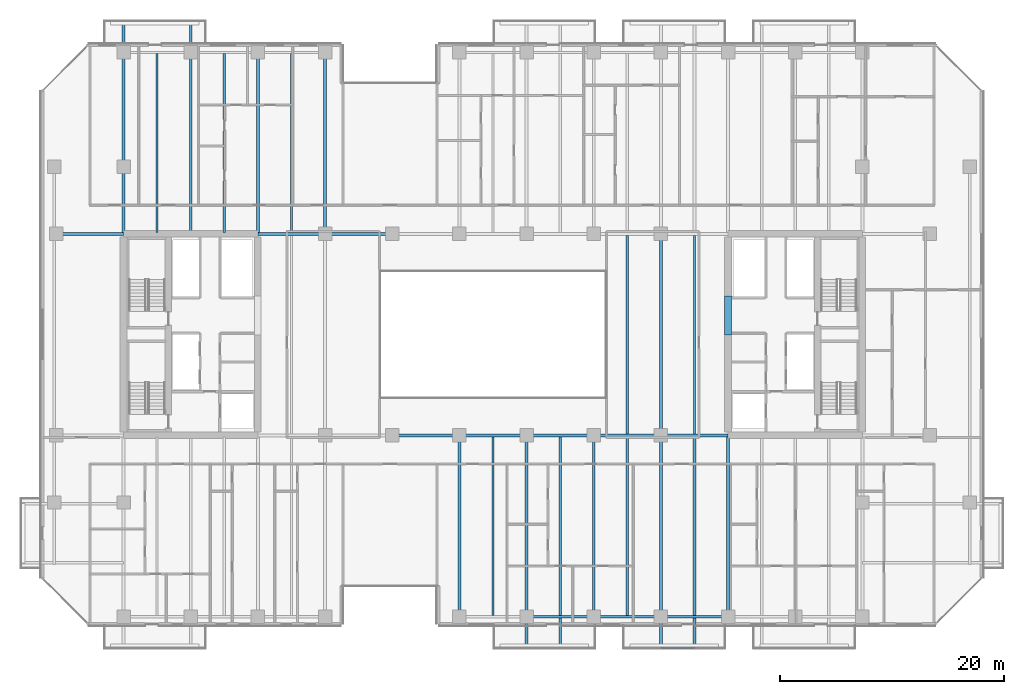
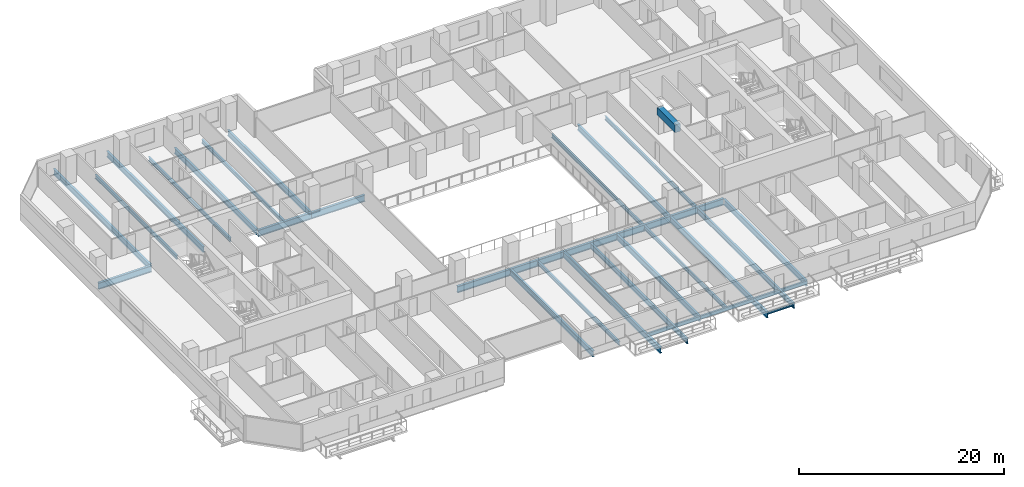
# One storey, part 7 of 33: 32 beams.
"""IFC4 building model written with IfcOpenShell, lengths in metres."""

from ifc_helpers import new_model, si_unit, direction, frame, origin, origin_2d, place, context, subcontext, project, spatial, rectangle, hollow_rectangle, i_section, extrude, material, material_profile, profile_set, type_object, element, save


model = new_model("IFC4")

# Units and contexts
model_context = context("Model", 3, precision=1e-05, world=origin(), true_north=direction((0.0, 1.0)))
body_context = subcontext(model_context, "Body", "Model", "MODEL_VIEW")
ifc_project = project(units=[si_unit("LENGTHUNIT", "METRE"), si_unit("AREAUNIT", "SQUARE_METRE"), si_unit("VOLUMEUNIT", "CUBIC_METRE"), si_unit("PLANEANGLEUNIT", "RADIAN"), si_unit("MASSUNIT", "GRAM", prefix="KILO")], contexts=[model_context])

# Site, building, storey
site_placement = place(None, origin())
site = spatial("IfcSite", under=ifc_project, at=site_placement, CompositionType="ELEMENT")
building_placement = place(site_placement, origin())
building = spatial("IfcBuilding", under=site, at=building_placement, Name="Tanjung Sevakor Pilgrim Tower", CompositionType="ELEMENT")
storey_placement = place(building_placement, frame((0.0, 0.0, 32.340087890625)))
storey = spatial("IfcBuildingStorey", under=building, at=storey_placement, Name="L08", CompositionType="ELEMENT", Elevation=32.340087890625)

# Beams
ifc_material_1 = material(Name="Steel S355J2", Category="steel")
ifc_material_profile_1 = material_profile(ifc_material_1, i_section(OverallWidth=0.26806640625, OverallDepth=0.769775390625, WebThickness=0.015625, FlangeThickness=0.025390625, FilletRadius=0.0166015625, at=origin_2d()))
ifc_profile_set_1 = profile_set([ifc_material_profile_1], Name="Steel S355J2")
beam_type_1 = type_object("IfcBeamType", Name="BM-B-G1-UB_762x267x197", PredefinedType="BEAM", material=ifc_profile_set_1)
for number, where, z_axis, x_axis, name in (
    (1, (48.0, 24.60009765625, -0.60498046875), (1.0, 0.0, 0.0), (0.0, 1.0, 0.0), "L08 Primary Floor Girder MAIN Y246-04"),
    (2, (54.0, 24.60009765625, -0.60498046875), (1.0, 0.0, 0.0), (0.0, 1.0, 0.0), "L08 Primary Floor Girder MAIN Y246-05"),
    (3, (60.0, 24.60009765625, -0.60498046875), (1.0, 0.0, 0.0), (0.0, 1.0, 0.0), "L08 Primary Floor Girder MAIN Y246-06"),
    (4, (66.0, 24.60009765625, -0.60498046875), (1.0, 0.0, 0.0), (0.0, 1.0, 0.0), "L08 Primary Floor Girder MAIN Y246-07"),
    (5, (72.0, 24.60009765625, -0.60498046875), (1.0, 0.0, 0.0), (0.0, 1.0, 0.0), "L08 Primary Floor Girder MAIN Y246-08"),
    (6, (18.0, 42.60009765625, -0.60498046875), (1.0, 0.0, 0.0), (0.0, 1.0, 0.0), "L08 Primary Floor Girder MAIN Y426-01"),
    (7, (36.0, 42.60009765625, -0.60498046875), (1.0, 0.0, 0.0), (0.0, 1.0, 0.0), "L08 Primary Floor Girder MAIN Y426-02"),
    (8, (42.0, 42.60009765625, -0.60498046875), (1.0, 0.0, 0.0), (0.0, 1.0, 0.0), "L08 Primary Floor Girder MAIN Y426-03"),
):
    element("IfcBeam", number, at=place(storey_placement, frame(where, z_axis=z_axis, x_axis=x_axis)), inside=storey, type_object=beam_type_1, Name=name, PredefinedType="BEAM", context=body_context, shape_type="SweptSolid", body=[
        extrude(i_section(OverallWidth=0.26806640625, OverallDepth=0.769775390625, WebThickness=0.015625, FlangeThickness=0.025390625, FilletRadius=0.0166015625, at=origin_2d()), origin(), (0.0, 0.0, 1.0), 6.0),
    ])
ifc_material_2 = material(Name="Steel S355J2", Category="steel")
ifc_material_profile_2 = material_profile(ifc_material_2, i_section(OverallWidth=0.25439453125, OverallDepth=0.6875, WebThickness=0.01318359375, FlangeThickness=0.02099609375, FilletRadius=0.01513671875, at=origin_2d()))
ifc_profile_set_2 = profile_set([ifc_material_profile_2], Name="Steel S355J2")
beam_type_2 = type_object("IfcBeamType", Name="BM-B-G2-UB_686x254x152", PredefinedType="BEAM", material=ifc_profile_set_2)
for number, where, z_axis, x_axis, name in (
    (9, (24.0, 42.73388671875, -0.56396484375), (0.0, 1.0, 0.0), (-1.0, 0.0, 0.0), "L08 Balcony Cantilever Beam MAIN-N1-1"),
    (10, (30.0, 42.73388671875, -0.56396484375), (0.0, 1.0, 0.0), (-1.0, 0.0, 0.0), "L08 Balcony Cantilever Beam MAIN-N1-2"),
):
    element("IfcBeam", number, at=place(storey_placement, frame(where, z_axis=z_axis, x_axis=x_axis)), inside=storey, type_object=beam_type_2, Name=name, PredefinedType="BEAM", context=body_context, shape_type="SweptSolid", body=[
        extrude(i_section(OverallWidth=0.25439453125, OverallDepth=0.6875, WebThickness=0.01318359375, FlangeThickness=0.02099609375, FilletRadius=0.01513671875, at=origin_2d()), origin(), (0.0, 0.0, 1.0), 18.84619140625),
    ])
beam_1_placement = place(storey_placement, frame((36.0, 42.73388671875, -0.56396484375), z_axis=(0.0, 1.0, 0.0), x_axis=(-1.0, 0.0, 0.0)))
element("IfcBeam", 11, at=beam_1_placement, inside=storey, type_object=beam_type_2, Name="L08 MAIN Girder 006", PredefinedType="BEAM", context=body_context, shape_type="SweptSolid", body=[
    extrude(i_section(OverallWidth=0.25439453125, OverallDepth=0.6875, WebThickness=0.01318359375, FlangeThickness=0.02099609375, FilletRadius=0.01513671875, at=origin_2d()), origin(), (0.0, 0.0, 1.0), 16.066162109375),
])
beam_2_placement = place(storey_placement, frame((42.0, 42.60009765625, -0.56396484375), z_axis=(0.0, 1.0, 0.0), x_axis=(-1.0, 0.0, 0.0)))
element("IfcBeam", 12, at=beam_2_placement, inside=storey, type_object=beam_type_2, Name="L08 MAIN Girder 012", PredefinedType="BEAM", context=body_context, shape_type="SweptSolid", body=[
    extrude(i_section(OverallWidth=0.25439453125, OverallDepth=0.6875, WebThickness=0.01318359375, FlangeThickness=0.02099609375, FilletRadius=0.01513671875, at=origin_2d()), origin(), (0.0, 0.0, 1.0), 16.199951171875),
])
beam_3_placement = place(storey_placement, frame((54.0, 8.39990234375, -0.56396484375), z_axis=(0.0, 1.0, 0.0), x_axis=(-1.0, 0.0, 0.0)))
element("IfcBeam", 13, at=beam_3_placement, inside=storey, type_object=beam_type_2, Name="L08 MAIN Girder 013", PredefinedType="BEAM", context=body_context, shape_type="SweptSolid", body=[
    extrude(i_section(OverallWidth=0.25439453125, OverallDepth=0.6875, WebThickness=0.01318359375, FlangeThickness=0.02099609375, FilletRadius=0.01513671875, at=origin_2d()), origin(), (0.0, 0.0, 1.0), 16.2001953125),
])
beam_4_placement = place(storey_placement, frame((60.0, 24.60009765625, -0.56396484375), z_axis=(0.0, -1.0, 0.0), x_axis=(1.0, 0.0, 0.0)))
element("IfcBeam", 14, at=beam_4_placement, inside=storey, type_object=beam_type_2, Name="L08 Balcony Cantilever Beam MAIN-S2-1", PredefinedType="BEAM", context=body_context, shape_type="SweptSolid", body=[
    extrude(i_section(OverallWidth=0.25439453125, OverallDepth=0.6875, WebThickness=0.01318359375, FlangeThickness=0.02099609375, FilletRadius=0.01513671875, at=origin_2d()), origin(), (0.0, 0.0, 1.0), 18.97998046875),
])
beam_5_placement = place(storey_placement, frame((66.0, 8.39990234375, -0.56396484375), z_axis=(0.0, 1.0, 0.0), x_axis=(-1.0, 0.0, 0.0)))
element("IfcBeam", 15, at=beam_5_placement, inside=storey, type_object=beam_type_2, Name="L08 MAIN Girder 017", PredefinedType="BEAM", context=body_context, shape_type="SweptSolid", body=[
    extrude(i_section(OverallWidth=0.25439453125, OverallDepth=0.6875, WebThickness=0.01318359375, FlangeThickness=0.02099609375, FilletRadius=0.01513671875, at=origin_2d()), origin(), (0.0, 0.0, 1.0), 16.2001953125),
])
beam_6_placement = place(storey_placement, frame((72.0, 24.60009765625, -0.56396484375), z_axis=(0.0, -1.0, 0.0), x_axis=(1.0, 0.0, 0.0)))
element("IfcBeam", 16, at=beam_6_placement, inside=storey, type_object=beam_type_2, Name="L08 Balcony Cantilever Beam MAIN-S3-1", PredefinedType="BEAM", context=body_context, shape_type="SweptSolid", body=[
    extrude(i_section(OverallWidth=0.25439453125, OverallDepth=0.6875, WebThickness=0.01318359375, FlangeThickness=0.02099609375, FilletRadius=0.01513671875, at=origin_2d()), origin(), (0.0, 0.0, 1.0), 18.97998046875),
])
beam_7_placement = place(storey_placement, frame((72.0, 24.60009765625, -0.56396484375), z_axis=(0.0, 1.0, 0.0), x_axis=(-1.0, 0.0, 0.0)))
element("IfcBeam", 17, at=beam_7_placement, inside=storey, type_object=beam_type_2, Name="L08 MAIN Girder 022", PredefinedType="BEAM", context=body_context, shape_type="SweptSolid", body=[
    extrude(i_section(OverallWidth=0.25439453125, OverallDepth=0.6875, WebThickness=0.01318359375, FlangeThickness=0.02099609375, FilletRadius=0.01513671875, at=origin_2d()), origin(), (0.0, 0.0, 1.0), 18.0),
])
beam_8_placement = place(storey_placement, frame((78.0, 8.39990234375, -0.56396484375), z_axis=(0.0, 1.0, 0.0), x_axis=(-1.0, 0.0, 0.0)))
element("IfcBeam", 18, at=beam_8_placement, inside=storey, type_object=beam_type_2, Name="L08 MAIN Girder 024", PredefinedType="BEAM", context=body_context, shape_type="SweptSolid", body=[
    extrude(i_section(OverallWidth=0.25439453125, OverallDepth=0.6875, WebThickness=0.01318359375, FlangeThickness=0.02099609375, FilletRadius=0.01513671875, at=origin_2d()), origin(), (0.0, 0.0, 1.0), 16.066162109375),
])
ifc_material_3 = material(Name="Steel S355J2", Category="steel")
ifc_material_profile_3 = material_profile(ifc_material_3, i_section(OverallWidth=0.22900390625, OverallDepth=0.6123046875, WebThickness=0.011962890625, FlangeThickness=0.01953125, FilletRadius=0.0126953125, at=origin_2d()))
ifc_profile_set_3 = profile_set([ifc_material_profile_3], Name="Steel S355J2")
beam_type_3 = type_object("IfcBeamType", Name="BM-B-G4-UB_610x229x125", PredefinedType="BEAM", material=ifc_profile_set_3)
for number, where, z_axis, x_axis, name in (
    (19, (63.0, 24.466064453125, -0.526123046875), (0.0, -1.0, 0.0), (1.0, 0.0, 0.0), "L08 Balcony Cantilever Beam MAIN-S2-2"),
    (20, (75.0, 24.466064453125, -0.526123046875), (0.0, -1.0, 0.0), (1.0, 0.0, 0.0), "L08 Balcony Cantilever Beam MAIN-S3-2"),
):
    element("IfcBeam", number, at=place(storey_placement, frame(where, z_axis=z_axis, x_axis=x_axis)), inside=storey, type_object=beam_type_3, Name=name, PredefinedType="BEAM", context=body_context, shape_type="SweptSolid", body=[
        extrude(i_section(OverallWidth=0.22900390625, OverallDepth=0.6123046875, WebThickness=0.011962890625, FlangeThickness=0.01953125, FilletRadius=0.0126953125, at=origin_2d()), origin(), (0.0, 0.0, 1.0), 18.845947265625),
    ])
ifc_material_4 = material(Name="Steel S355J2", Category="steel")
ifc_material_profile_4 = material_profile(ifc_material_4, i_section(OverallWidth=0.19140625, OverallDepth=0.4599609375, WebThickness=0.010009765625, FlangeThickness=0.01611328125, FilletRadius=0.01025390625, at=origin_2d()))
ifc_profile_set_4 = profile_set([ifc_material_profile_4], Name="Steel S355J2")
beam_type_4 = type_object("IfcBeamType", Name="BM-B-J2-UB_457x191x82", PredefinedType="JOIST", material=ifc_profile_set_4)
for number, where, z_axis, x_axis, name in (
    (21, (27.0, 42.73388671875, -0.4501953125), (0.0, 1.0, 0.0), (-1.0, 0.0, 0.0), "L08 MAIN Joist 002"),
    (22, (33.0, 42.73388671875, -0.4501953125), (0.0, 1.0, 0.0), (-1.0, 0.0, 0.0), "L08 MAIN Joist 004"),
    (23, (39.0, 42.73388671875, -0.4501953125), (0.0, 1.0, 0.0), (-1.0, 0.0, 0.0), "L08 MAIN Joist 009"),
    (24, (57.0, 8.5, -0.4501953125), (0.0, 1.0, 0.0), (-1.0, 0.0, 0.0), "L08 MAIN Joist 015"),
    (25, (69.0, 8.5, -0.4501953125), (0.0, 1.0, 0.0), (-1.0, 0.0, 0.0), "L08 MAIN Joist 019"),
):
    element("IfcBeam", number, at=place(storey_placement, frame(where, z_axis=z_axis, x_axis=x_axis)), inside=storey, type_object=beam_type_4, Name=name, PredefinedType="JOIST", context=body_context, shape_type="SweptSolid", body=[
        extrude(i_section(OverallWidth=0.19140625, OverallDepth=0.4599609375, WebThickness=0.010009765625, FlangeThickness=0.01611328125, FilletRadius=0.01025390625, at=origin_2d()), origin(), (0.0, 0.0, 1.0), 15.966064453125),
    ])
for number, where, z_axis, x_axis, name in (
    (26, (69.0, 24.73388671875, -0.4501953125), (0.0, 1.0, 0.0), (-1.0, 0.0, 0.0), "L08 MAIN Joist 020"),
    (27, (75.0, 24.73388671875, -0.4501953125), (0.0, 1.0, 0.0), (-1.0, 0.0, 0.0), "L08 MAIN Joist 023"),
):
    element("IfcBeam", number, at=place(storey_placement, frame(where, z_axis=z_axis, x_axis=x_axis)), inside=storey, type_object=beam_type_4, Name=name, PredefinedType="JOIST", context=body_context, shape_type="SweptSolid", body=[
        extrude(i_section(OverallWidth=0.19140625, OverallDepth=0.4599609375, WebThickness=0.010009765625, FlangeThickness=0.01611328125, FilletRadius=0.01025390625, at=origin_2d()), origin(), (0.0, 0.0, 1.0), 17.732177734375),
    ])
ifc_material_5 = material(Name="Steel S355J2", Category="steel")
ifc_material_profile_5 = material_profile(ifc_material_5, i_section(OverallWidth=0.146484375, OverallDepth=0.256103515625, WebThickness=0.00634765625, FlangeThickness=0.010986328125, FilletRadius=0.007568359375, at=origin_2d()))
ifc_profile_set_5 = profile_set([ifc_material_profile_5], Name="Steel S355J2")
beam_type_5 = type_object("IfcBeamType", Name="BM-B-J6-UB_254x146x37", PredefinedType="JOIST", material=ifc_profile_set_5)
beam_9_placement = place(storey_placement, frame((72.0, 5.6201171875, -0.328125), z_axis=(1.0, 0.0, 0.0), x_axis=(0.0, 1.0, 0.0)))
element("IfcBeam", 28, at=beam_9_placement, inside=storey, type_object=beam_type_5, Name="L08 Balcony Rim Tie MAIN-S3", PredefinedType="JOIST", context=body_context, shape_type="SweptSolid", body=[
    extrude(i_section(OverallWidth=0.146484375, OverallDepth=0.256103515625, WebThickness=0.00634765625, FlangeThickness=0.010986328125, FilletRadius=0.007568359375, at=origin_2d()), origin(), (0.0, 0.0, 1.0), 3.0),
])
ifc_material_6 = material(Name="Concrete C60/75", Category="concrete")
ifc_material_profile_6 = material_profile(ifc_material_6, rectangle(XDim=0.60009765625, YDim=0.89990234375, at=origin_2d()))
ifc_profile_set_6 = profile_set([ifc_material_profile_6], Name="Concrete C60/75")
beam_type_6 = type_object("IfcBeamType", Name="BM-B-LN1-RC-BM_600x900", PredefinedType="LINTEL", material=ifc_profile_set_6)
beam_10_placement = place(storey_placement, frame((78.0, 33.550048828125, 2.6298828125), z_axis=(0.0, 1.0, 0.0), x_axis=(-1.0, 0.0, 0.0)))
element("IfcBeam", 29, at=beam_10_placement, inside=storey, type_object=beam_type_6, Name="L08 E Core Coupling Lintel", PredefinedType="LINTEL", context=body_context, shape_type="SweptSolid", body=[
    extrude(rectangle(XDim=0.60009765625, YDim=0.89990234375, at=origin_2d()), origin(), (0.0, 0.0, 1.0), 3.5),
])
ifc_material_7 = material(Name="Steel S355J2", Category="steel")
ifc_material_profile_7 = material_profile(ifc_material_7, hollow_rectangle(XDim=0.199951171875, YDim=0.39990234375, WallThickness=0.01611328125, at=origin_2d()))
ifc_profile_set_7 = profile_set([ifc_material_profile_7], Name="Steel S355J2")
beam_type_7 = type_object("IfcBeamType", Name="BM-B-SP2-RHS_400x200x16", PredefinedType="SPANDREL", material=ifc_profile_set_7)
for number, where, z_axis, x_axis, name in (
    (30, (60.0, 8.39990234375, -0.420166015625), (1.0, 0.0, 0.0), (0.0, 1.0, 0.0), "L08 Spandrel MAIN S-09"),
    (31, (66.0, 8.39990234375, -0.420166015625), (1.0, 0.0, 0.0), (0.0, 1.0, 0.0), "L08 Spandrel MAIN S-11"),
    (32, (72.0, 8.39990234375, -0.420166015625), (1.0, 0.0, 0.0), (0.0, 1.0, 0.0), "L08 Spandrel MAIN S-13"),
):
    element("IfcBeam", number, at=place(storey_placement, frame(where, z_axis=z_axis, x_axis=x_axis)), inside=storey, type_object=beam_type_7, Name=name, PredefinedType="SPANDREL", context=body_context, shape_type="SweptSolid", body=[
        extrude(hollow_rectangle(XDim=0.199951171875, YDim=0.39990234375, WallThickness=0.01611328125, at=origin_2d()), origin(), (0.0, 0.0, 1.0), 6.0),
    ])

save(model, "model.ifc")
